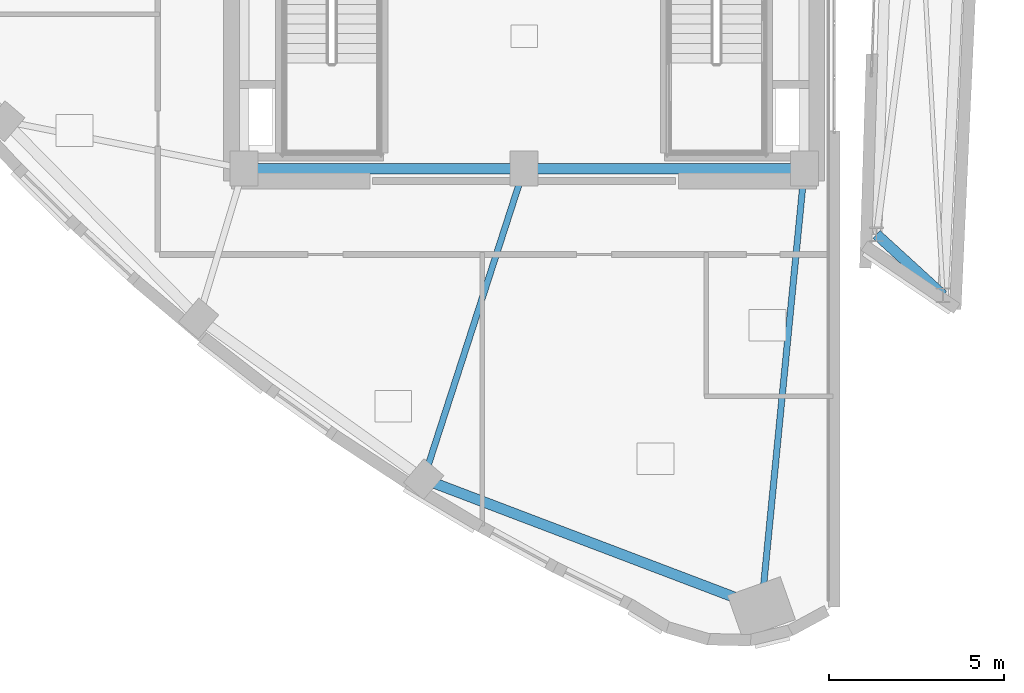
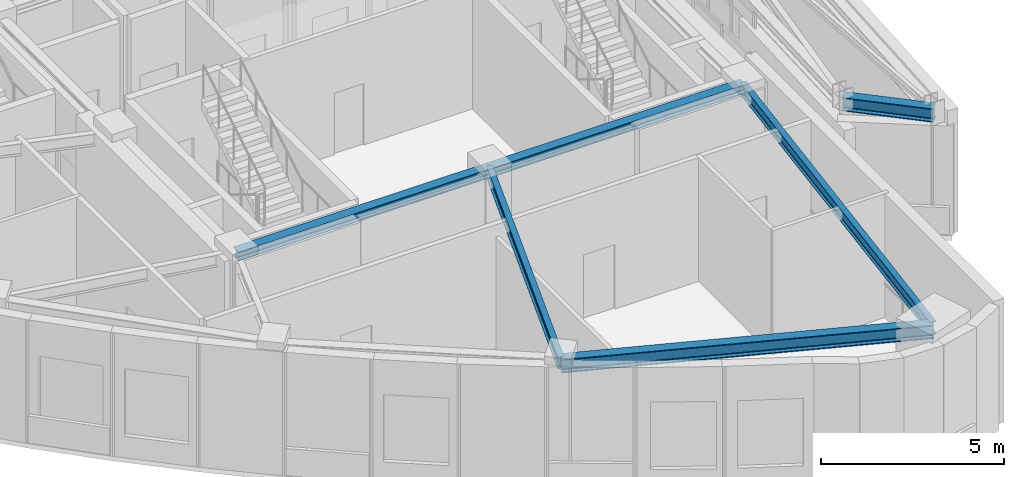
# One storey, part 3 of 19: 6 beams.
"""IFC4 building model written with IfcOpenShell, lengths in metres."""

import ifcopenshell
import ifcopenshell.guid

model = None  # the IFC model being written
_history = None  # IfcOwnerHistory: only IFC2X3 demands one
_inside = {}  # id of a spatial element -> (the spatial element, [elements in it])
_under = {}  # id of a project, library or spatial element -> (it, [spatial elements below it])
_declared = {}  # id of a project -> (the project, [libraries it declares])
_typed = {}  # id of a type object -> (the type object, [elements of that type])
_made_of = {}  # id of a material, layer set ... -> (it, [elements and type objects made of it])


def new_model(schema):
    """Start an empty IFC model of exactly this schema.

    Asked for "IFC4X3", IfcOpenShell would pick the latest addendum, in which some entities
    have other attributes; the version numbers below select the first issue.
    IFC2X3 requires an IfcOwnerHistory on every rooted entity: one is made here for all.
    """
    global model, _history
    if schema == "IFC4X3":
        model = ifcopenshell.file(schema_version=(4, 3, 0, 0))
    else:
        model = ifcopenshell.file(schema=schema)
    _inside.clear()
    _under.clear()
    _declared.clear()
    _typed.clear()
    _made_of.clear()
    _history = None
    if model.schema == "IFC2X3":
        org = make("IfcOrganization", Name="unknown")
        user = make(
            "IfcPersonAndOrganization",
            ThePerson=make("IfcPerson", FamilyName="unknown"),
            TheOrganization=org,
        )
        app = make(
            "IfcApplication",
            ApplicationDeveloper=org,
            Version="unknown",
            ApplicationFullName="unknown",
            ApplicationIdentifier="unknown",
        )
        _history = make(
            "IfcOwnerHistory",
            OwningUser=user,
            OwningApplication=app,
            ChangeAction="ADDED",
            CreationDate=0,
        )
    return model


def make(cls, **values):
    """One entity of the class cls with the attributes given. An attribute that is None is left unset."""
    return model.create_entity(
        cls, **{name: value for name, value in values.items() if value is not None}
    )


def rooted(cls, **values):
    """An entity with a GlobalId (a new one), such as an element, a storey or a relation."""
    return make(cls, GlobalId=ifcopenshell.guid.new(), OwnerHistory=_history, **values)


def si_unit(unit_type, name, prefix=None):
    """IfcSIUnit, for example si_unit("LENGTHUNIT", "METRE", prefix="MILLI")."""
    return make("IfcSIUnit", UnitType=unit_type, Prefix=prefix, Name=name)


def assignment(units):
    """IfcUnitAssignment: the units of a project."""
    return None if units is None else make("IfcUnitAssignment", Units=units)


def point(xyz):
    """IfcCartesianPoint."""
    return None if xyz is None else make("IfcCartesianPoint", Coordinates=xyz)


def direction(xyz):
    """IfcDirection."""
    return None if xyz is None else make("IfcDirection", DirectionRatios=xyz)


def frame(location, z_axis=None, x_axis=None):
    """IfcAxis2Placement3D, a coordinate frame: its origin and axes. An axis left out is left unset."""
    return make(
        "IfcAxis2Placement3D",
        Location=point(location),
        Axis=direction(z_axis),
        RefDirection=direction(x_axis),
    )


def frame_2d(location, x_axis=None):
    """IfcAxis2Placement2D, a coordinate frame in the plane: its origin and x axis."""
    return make(
        "IfcAxis2Placement2D", Location=point(location), RefDirection=direction(x_axis)
    )


def origin():
    """The frame at (0, 0, 0) with its axes left unset."""
    return frame((0.0, 0.0, 0.0))


def origin_2d():
    """The frame at (0, 0) in the plane with its x axis left unset."""
    return frame_2d((0.0, 0.0))


def place(relative_to, where):
    """IfcLocalPlacement: puts the frame where relative to a parent placement (None: the world)."""
    return make(
        "IfcLocalPlacement", PlacementRelTo=relative_to, RelativePlacement=where
    )


def context(
    kind, dimensions, precision=None, world=None, true_north=None, identifier=None
):
    """IfcGeometricRepresentationContext, for example the 3D "Model" context."""
    return make(
        "IfcGeometricRepresentationContext",
        ContextIdentifier=identifier,
        ContextType=kind,
        CoordinateSpaceDimension=dimensions,
        Precision=precision,
        WorldCoordinateSystem=world,
        TrueNorth=true_north,
    )


def subcontext(parent, identifier, kind, view, scale=None):
    """IfcGeometricRepresentationSubContext, for example "Body" below "Model"."""
    return make(
        "IfcGeometricRepresentationSubContext",
        ContextIdentifier=identifier,
        ContextType=kind,
        ParentContext=parent,
        TargetScale=scale,
        TargetView=view,
    )


def project(units=None, contexts=None):
    """IfcProject with its units and contexts."""
    return rooted(
        "IfcProject",
        Name="project",
        RepresentationContexts=contexts,
        UnitsInContext=assignment(units),
    )


def spatial(cls, under=None, at=None, **own):
    """A site, building, storey or space (cls), placed at a placement, below another one or the project."""
    s = rooted(cls, ObjectPlacement=at, **own)
    if under is not None:
        _under.setdefault(under.id(), (under, []))[1].append(s)
    return s


def profile(cls, at=None, kind="AREA", **sizes):
    """A parametric profile (cls). Its sizes go by their IFC names, for example OverallWidth=200.0."""
    return make(cls, ProfileType=kind, Position=at, **sizes)


def i_section(**sizes):
    """IfcIShapeProfileDef."""
    return profile("IfcIShapeProfileDef", **sizes)


def extrude(swept, where, along, depth):
    """IfcExtrudedAreaSolid: the profile swept, set in the frame where, extruded along a direction by depth."""
    return make(
        "IfcExtrudedAreaSolid",
        SweptArea=swept,
        Position=where,
        ExtrudedDirection=direction(along),
        Depth=depth,
    )


def shape(context_of_items, identifier, shape_type, items):
    """IfcShapeRepresentation: the items that make up one representation, for example the "Body"."""
    return make(
        "IfcShapeRepresentation",
        ContextOfItems=context_of_items,
        RepresentationIdentifier=identifier,
        RepresentationType=shape_type,
        Items=items,
    )


def material(Name=None, Category=None):
    """IfcMaterial."""
    return make("IfcMaterial", Name=Name, Category=Category)


def material_profile(
    of_material, cross_section, Name=None, Category=None, Priority=None
):
    """IfcMaterialProfile: a cross section and its material."""
    return make(
        "IfcMaterialProfile",
        Name=Name,
        Material=of_material,
        Profile=cross_section,
        Priority=Priority,
        Category=Category,
    )


def profile_set(profiles, Name=None, composite=None):
    """IfcMaterialProfileSet."""
    return make(
        "IfcMaterialProfileSet",
        Name=Name,
        MaterialProfiles=profiles,
        CompositeProfile=composite,
    )


def made_of(thing, what):
    """Note that an element or type object is made of a material, layer set ...; save() writes the relation."""
    if what is not None:
        _made_of.setdefault(what.id(), (what, []))[1].append(thing)
    return thing


def type_object(cls, material=None, **own):
    """A type object (cls), such as IfcWallType, which elements share."""
    return made_of(rooted(cls, **own), material)


def element(
    cls,
    number,
    at=None,
    inside=None,
    cuts=None,
    type_object=None,
    material=None,
    context=None,
    identifier="Body",
    shape_type=None,
    held_by="IfcProductDefinitionShape",
    body=None,
    shapes=None,
    **own,
):
    """One element of the class cls, such as IfcWall. Its Tag is "e" and its number.

    at: its placement. inside: the storey or other place that contains it. cuts: it is an
    opening in that element (IfcRelVoidsElement). A single representation is given by context,
    identifier, shape_type and body (its items); several are given by shapes. held_by: the class
    of the entity that holds the representations. save() writes the other relations.
    """
    e = rooted(cls, Tag="e%d" % number, ObjectPlacement=at, **own)
    if body is not None:
        shapes = [shape(context, identifier, shape_type, body)]
    if shapes is not None:
        e.Representation = make(held_by, Representations=shapes)
    if inside is not None:
        _inside.setdefault(inside.id(), (inside, []))[1].append(e)
    if cuts is not None:
        rooted(
            "IfcRelVoidsElement", RelatingBuildingElement=cuts, RelatedOpeningElement=e
        )
    if type_object is not None:
        _typed.setdefault(type_object.id(), (type_object, []))[1].append(e)
    return made_of(e, material)


def aggregate(whole, parts):
    """IfcRelAggregates: a whole, such as a stair, and the parts it consists of."""
    return rooted("IfcRelAggregates", RelatingObject=whole, RelatedObjects=parts)


def save(model, path):
    """Write the relations noted so far, then the file.

    IfcRelAggregates (storeys below a building ...), IfcRelContainedInSpatialStructure (elements
    in a storey), IfcRelDefinesByType, IfcRelAssociatesMaterial and IfcRelDeclares: one each for
    every whole, place, type object, material and project.
    """
    for whole, parts in _under.values():
        aggregate(whole, parts)
    for where, things in _inside.values():
        rooted(
            "IfcRelContainedInSpatialStructure",
            RelatedElements=things,
            RelatingStructure=where,
        )
    for kind, things in _typed.values():
        rooted("IfcRelDefinesByType", RelatedObjects=things, RelatingType=kind)
    for what, things in _made_of.values():
        rooted("IfcRelAssociatesMaterial", RelatedObjects=things, RelatingMaterial=what)
    for by, libraries in _declared.values():
        rooted("IfcRelDeclares", RelatingContext=by, RelatedDefinitions=libraries)
    model.write(path)


model = new_model("IFC4")

# Units and contexts
model_context = context("Model", 3, precision=1e-05, world=origin(), true_north=direction((0.0, 1.0)))
body_context = subcontext(model_context, "Body", "Model", "MODEL_VIEW")
ifc_project = project(units=[si_unit("LENGTHUNIT", "METRE"), si_unit("AREAUNIT", "SQUARE_METRE"), si_unit("VOLUMEUNIT", "CUBIC_METRE"), si_unit("PLANEANGLEUNIT", "RADIAN"), si_unit("MASSUNIT", "GRAM", prefix="KILO")], contexts=[model_context])

# Site, building, storey
site_placement = place(None, origin())
site = spatial("IfcSite", under=ifc_project, at=site_placement, CompositionType="ELEMENT")
building_placement = place(site_placement, origin())
building = spatial("IfcBuilding", under=site, at=building_placement, Name="Ndelora Gate Hotel", CompositionType="ELEMENT")
storey_placement = place(building_placement, frame((0.0, 0.0, 290.39990234375)))
storey = spatial("IfcBuildingStorey", under=building, at=storey_placement, Name="L72", CompositionType="ELEMENT", Elevation=290.39990234375)

# Beams
ifc_material = material(Name="Steel S355", Category="steel")
ifc_material_profile_1 = material_profile(ifc_material, i_section(OverallWidth=0.300048828125, OverallDepth=0.300048828125, WebThickness=0.010986328125, FlangeThickness=0.01904296875, FilletRadius=0.027099609375, at=origin_2d()), Name="HEB 300")
ifc_profile_set_1 = profile_set([ifc_material_profile_1], Name="Steel S355")
beam_type_1 = type_object("IfcBeamType", Name="BM-CORE-300", PredefinedType="BEAM", material=ifc_profile_set_1)
for number, where, z_axis, x_axis, name in (
    (1, (-8.0, -6.60009765625, 3.97998046875), (1.0, 0.0, 0.0), (0.0, 1.0, 0.0), "L72 Core Tie Girder CC1-CC2"),
    (2, (0.0, -6.60009765625, 3.97998046875), (1.0, 0.0, 0.0), (0.0, 1.0, 0.0), "L72 Core Tie Girder CC2-CC3"),
):
    element("IfcBeam", number, at=place(storey_placement, frame(where, z_axis=z_axis, x_axis=x_axis)), inside=storey, type_object=beam_type_1, Name=name, PredefinedType="BEAM", context=body_context, shape_type="SweptSolid", body=[
        extrude(i_section(OverallWidth=0.300048828125, OverallDepth=0.300048828125, WebThickness=0.010986328125, FlangeThickness=0.01904296875, FilletRadius=0.027099609375, at=origin_2d()), origin(), (0.0, 0.0, 1.0), 8.0),
    ])
ifc_material_profile_2 = material_profile(ifc_material, i_section(OverallWidth=0.179931640625, OverallDepth=0.39990234375, WebThickness=0.008544921875, FlangeThickness=0.013427734375, FilletRadius=0.02099609375, at=origin_2d()), Name="IPE 400")
ifc_profile_set_2 = profile_set([ifc_material_profile_2], Name="Steel S355")
beam_type_2 = type_object("IfcBeamType", Name="BM-RAD-400", PredefinedType="BEAM", material=ifc_profile_set_2)
beam_1_placement = place(storey_placement, frame((0.0, -6.60009765625, 3.93017578125), z_axis=(-0.307689759964, -0.951486737487, 0.0), x_axis=(0.951486737487, -0.307689759964, 0.0)))
element("IfcBeam", 3, at=beam_1_placement, inside=storey, type_object=beam_type_2, Name="L72 structural beam FB-5", PredefinedType="BEAM", context=body_context, shape_type="SweptSolid", body=[
    extrude(i_section(OverallWidth=0.179931640625, OverallDepth=0.39990234375, WebThickness=0.008544921875, FlangeThickness=0.013427734375, FilletRadius=0.02099609375, at=origin_2d()), origin(), (0.0, 0.0, 1.0), 9.31298828125),
])
beam_2_placement = place(storey_placement, frame((8.0, -6.60009765625, 3.93017578125), z_axis=(-0.097513783863, -0.995234174432, 0.0), x_axis=(0.995234174432, -0.097513783863, 0.0)))
element("IfcBeam", 4, at=beam_2_placement, inside=storey, type_object=beam_type_2, Name="L72 structural beam FB-5", PredefinedType="BEAM", context=body_context, shape_type="SweptSolid", body=[
    extrude(i_section(OverallWidth=0.179931640625, OverallDepth=0.39990234375, WebThickness=0.008544921875, FlangeThickness=0.013427734375, FilletRadius=0.02099609375, at=origin_2d()), origin(), (0.0, 0.0, 1.0), 12.5859375),
])
ifc_material_profile_3 = material_profile(ifc_material, i_section(OverallWidth=0.300048828125, OverallDepth=0.449951171875, WebThickness=0.013916015625, FlangeThickness=0.02587890625, FilletRadius=0.027099609375, at=origin_2d()), Name="HEB 450")
ifc_profile_set_3 = profile_set([ifc_material_profile_3], Name="Steel S355")
beam_type_3 = type_object("IfcBeamType", Name="BM-RING-450", PredefinedType="SPANDREL", material=ifc_profile_set_3)
beam_3_placement = place(storey_placement, frame((-2.865478515625, -15.461181640625, 3.905029296875), z_axis=(0.934709973152, -0.355411403997, 0.0), x_axis=(0.355411403997, 0.934709973152, 0.0)))
element("IfcBeam", 5, at=beam_3_placement, inside=storey, type_object=beam_type_3, Name="L72 structural beam RB-5", PredefinedType="SPANDREL", context=body_context, shape_type="SweptSolid", body=[
    extrude(i_section(OverallWidth=0.300048828125, OverallDepth=0.449951171875, WebThickness=0.013916015625, FlangeThickness=0.02587890625, FilletRadius=0.027099609375, at=origin_2d()), origin(), (0.0, 0.0, 1.0), 10.3115234375),
])
beam_4_placement = place(storey_placement, frame((10.0576171875, -8.478271484375, 3.89501953125), z_axis=(0.738512212633, -0.674240099514, 0.0), x_axis=(0.674240099514, 0.738512212633, 0.0)))
element("IfcBeam", 6, at=beam_4_placement, inside=storey, type_object=beam_type_3, Name="L72 structural beam RB-5", PredefinedType="SPANDREL", context=body_context, shape_type="SweptSolid", body=[
    extrude(i_section(OverallWidth=0.300048828125, OverallDepth=0.449951171875, WebThickness=0.013916015625, FlangeThickness=0.02587890625, FilletRadius=0.027099609375, at=origin_2d()), origin(), (0.0, 0.0, 1.0), 2.571533203125),
])

save(model, "model.ifc")
